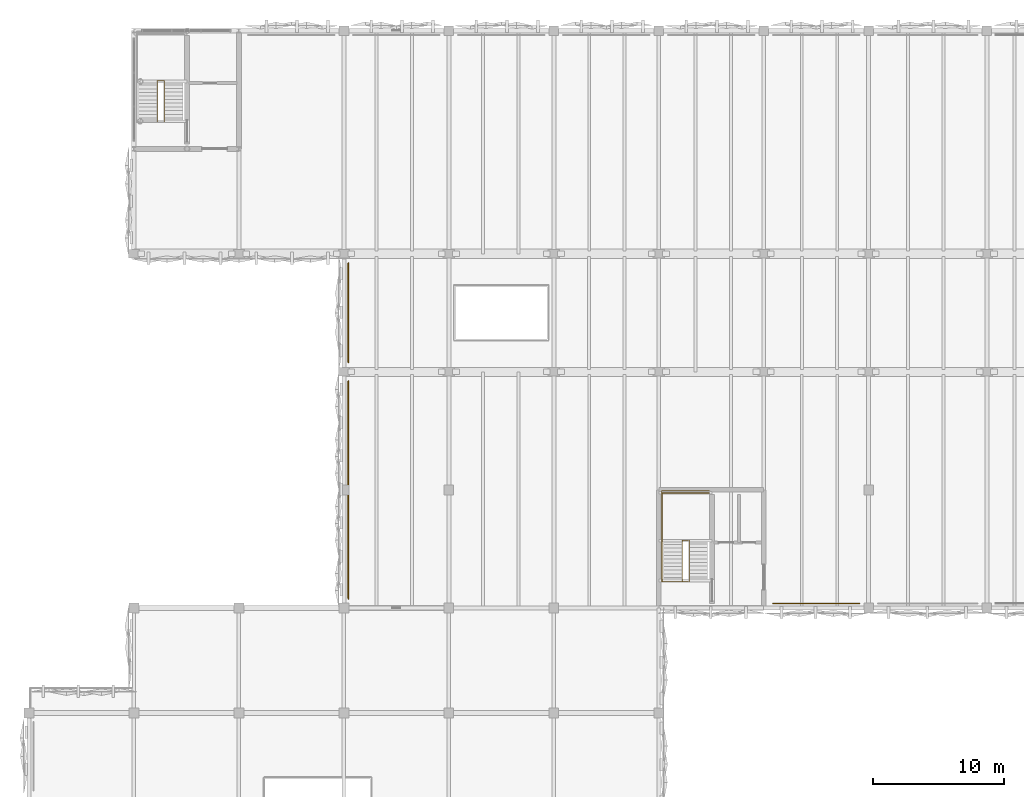
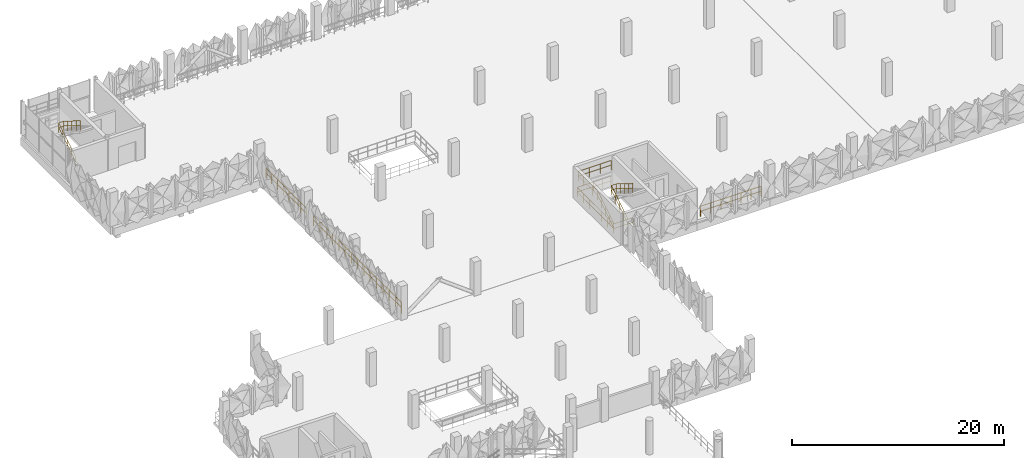
# One storey, part 74 of 83: 7 railings.
"""IFC4 building model written with IfcOpenShell, lengths in metres."""

from ifc_helpers import new_model, si_unit, derived_unit, direction, frame, origin, origin_2d, place, context, subcontext, project, spatial, circle, extrude, material, type_object, element, save


model = new_model("IFC4")

# Units and contexts
model_context = context("Model", 3, precision=1e-05, world=origin(), true_north=direction((0.0, 1.0)))
body_context = subcontext(model_context, "Body", "Model", "MODEL_VIEW")
ifc_project = project(units=[si_unit("LENGTHUNIT", "METRE"), si_unit("AREAUNIT", "SQUARE_METRE"), si_unit("VOLUMEUNIT", "CUBIC_METRE"), si_unit("PLANEANGLEUNIT", "RADIAN"), si_unit("MASSUNIT", "GRAM", prefix="KILO"), si_unit("THERMODYNAMICTEMPERATUREUNIT", "KELVIN"), derived_unit("THERMALTRANSMITTANCEUNIT", [(si_unit("POWERUNIT", "WATT"), 1), (si_unit("AREAUNIT", "SQUARE_METRE"), -1), (si_unit("THERMODYNAMICTEMPERATUREUNIT", "KELVIN"), -1)])], contexts=[model_context])

# Site, building, storey
site_placement = place(None, origin())
site = spatial("IfcSite", under=ifc_project, at=site_placement, CompositionType="ELEMENT")
building_placement = place(site_placement, origin())
building = spatial("IfcBuilding", under=site, at=building_placement, Name="Haiyu Intermodal Mobility Hub", CompositionType="ELEMENT")
storey_placement = place(building_placement, frame((0.0, 0.0, 13.39990234375)))
storey = spatial("IfcBuildingStorey", under=building, at=storey_placement, Name="L03", CompositionType="ELEMENT", Elevation=13.39990234375)

# Railings
ifc_material = material(Name="Steel Q355C", Category="steel")
railing_type_1 = type_object("IfcRailingType", Name="RAL-GR01", PredefinedType="GUARDRAIL", material=ifc_material)
railing_1_placement = place(storey_placement, frame((38.340087890625, 121.300048828125, 0.0)))
element("IfcRailing", 1, at=railing_1_placement, inside=storey, type_object=railing_type_1, Name="RAL-CAR-WS-0084", PredefinedType="GUARDRAIL", context=body_context, shape_type="SweptSolid", body=[
    extrude(circle(Radius=0.02392578125, at=origin_2d()), frame((0.0, -0.030029296875, 1.17578125), z_axis=(0.0, -1.0, 0.0), x_axis=(1.0, 0.0, 0.0)), (0.0, 0.0, 1.0), 16.5400390625),
    extrude(circle(Radius=0.02392578125, at=origin_2d()), frame((0.0, -0.037353515625, 0.60009765625), z_axis=(0.0, -1.0, 0.0), x_axis=(1.0, 0.0, 0.0)), (0.0, 0.0, 1.0), 1.111083984375),
    extrude(circle(Radius=0.02392578125, at=origin_2d()), frame((0.0, -1.222900390625, 0.60009765625), z_axis=(0.0, -1.0, 0.0), x_axis=(1.0, 0.0, 0.0)), (0.0, 0.0, 1.0), 1.111083984375),
    extrude(circle(Radius=0.02392578125, at=origin_2d()), frame((0.0, -2.40869140625, 0.60009765625), z_axis=(0.0, -1.0, 0.0), x_axis=(1.0, 0.0, 0.0)), (0.0, 0.0, 1.0), 1.111083984375),
    extrude(circle(Radius=0.02392578125, at=origin_2d()), frame((0.0, -3.594482421875, 0.60009765625), z_axis=(0.0, -1.0, 0.0), x_axis=(1.0, 0.0, 0.0)), (0.0, 0.0, 1.0), 1.111083984375),
    extrude(circle(Radius=0.02392578125, at=origin_2d()), frame((0.0, -4.7802734375, 0.60009765625), z_axis=(0.0, -1.0, 0.0), x_axis=(1.0, 0.0, 0.0)), (0.0, 0.0, 1.0), 1.111083984375),
    extrude(circle(Radius=0.02392578125, at=origin_2d()), frame((0.0, -5.9658203125, 0.60009765625), z_axis=(0.0, -1.0, 0.0), x_axis=(1.0, 0.0, 0.0)), (0.0, 0.0, 1.0), 1.111083984375),
    extrude(circle(Radius=0.02392578125, at=origin_2d()), frame((0.0, -7.151611328125, 0.60009765625), z_axis=(0.0, -1.0, 0.0), x_axis=(1.0, 0.0, 0.0)), (0.0, 0.0, 1.0), 1.111083984375),
    extrude(circle(Radius=0.02392578125, at=origin_2d()), frame((0.0, -8.33740234375, 0.60009765625), z_axis=(0.0, -1.0, 0.0), x_axis=(1.0, 0.0, 0.0)), (0.0, 0.0, 1.0), 1.111083984375),
    extrude(circle(Radius=0.02392578125, at=origin_2d()), frame((0.0, -9.52294921875, 0.60009765625), z_axis=(0.0, -1.0, 0.0), x_axis=(1.0, 0.0, 0.0)), (0.0, 0.0, 1.0), 1.111083984375),
    extrude(circle(Radius=0.02392578125, at=origin_2d()), frame((0.0, -10.708740234375, 0.60009765625), z_axis=(0.0, -1.0, 0.0), x_axis=(1.0, 0.0, 0.0)), (0.0, 0.0, 1.0), 1.111083984375),
    extrude(circle(Radius=0.02392578125, at=origin_2d()), frame((0.0, -11.89453125, 0.60009765625), z_axis=(0.0, -1.0, 0.0), x_axis=(1.0, 0.0, 0.0)), (0.0, 0.0, 1.0), 1.111083984375),
    extrude(circle(Radius=0.02392578125, at=origin_2d()), frame((0.0, -13.080322265625, 0.60009765625), z_axis=(0.0, -1.0, 0.0), x_axis=(1.0, 0.0, 0.0)), (0.0, 0.0, 1.0), 1.111083984375),
    extrude(circle(Radius=0.02392578125, at=origin_2d()), frame((0.0, -14.265869140625, 0.60009765625), z_axis=(0.0, -1.0, 0.0), x_axis=(1.0, 0.0, 0.0)), (0.0, 0.0, 1.0), 1.111083984375),
    extrude(circle(Radius=0.02392578125, at=origin_2d()), frame((0.0, -15.45166015625, 0.60009765625), z_axis=(0.0, -1.0, 0.0), x_axis=(1.0, 0.0, 0.0)), (0.0, 0.0, 1.0), 1.111083984375),
    extrude(circle(Radius=0.02099609375, at=origin_2d()), origin(), (0.0, 0.0, 1.0), 1.143798828125),
    extrude(circle(Radius=0.02099609375, at=origin_2d()), frame((0.0, -1.185791015625, 0.0)), (0.0, 0.0, 1.0), 1.143798828125),
    extrude(circle(Radius=0.02099609375, at=origin_2d()), frame((0.0, -2.371337890625, 0.0)), (0.0, 0.0, 1.0), 1.143798828125),
    extrude(circle(Radius=0.02099609375, at=origin_2d()), frame((0.0, -3.55712890625, 0.0)), (0.0, 0.0, 1.0), 1.143798828125),
    extrude(circle(Radius=0.02099609375, at=origin_2d()), frame((0.0, -4.742919921875, 0.0)), (0.0, 0.0, 1.0), 1.143798828125),
    extrude(circle(Radius=0.02099609375, at=origin_2d()), frame((0.0, -5.9287109375, 0.0)), (0.0, 0.0, 1.0), 1.143798828125),
    extrude(circle(Radius=0.02099609375, at=origin_2d()), frame((0.0, -7.1142578125, 0.0)), (0.0, 0.0, 1.0), 1.143798828125),
    extrude(circle(Radius=0.02099609375, at=origin_2d()), frame((0.0, -8.300048828125, 0.0)), (0.0, 0.0, 1.0), 1.143798828125),
    extrude(circle(Radius=0.02099609375, at=origin_2d()), frame((0.0, -9.48583984375, 0.0)), (0.0, 0.0, 1.0), 1.143798828125),
    extrude(circle(Radius=0.02099609375, at=origin_2d()), frame((0.0, -10.67138671875, 0.0)), (0.0, 0.0, 1.0), 1.143798828125),
    extrude(circle(Radius=0.02099609375, at=origin_2d()), frame((0.0, -11.857177734375, 0.0)), (0.0, 0.0, 1.0), 1.143798828125),
    extrude(circle(Radius=0.02099609375, at=origin_2d()), frame((0.0, -13.04296875, 0.0)), (0.0, 0.0, 1.0), 1.143798828125),
    extrude(circle(Radius=0.02099609375, at=origin_2d()), frame((0.0, -14.228759765625, 0.0)), (0.0, 0.0, 1.0), 1.143798828125),
    extrude(circle(Radius=0.02099609375, at=origin_2d()), frame((0.0, -15.414306640625, 0.0)), (0.0, 0.0, 1.0), 1.143798828125),
    extrude(circle(Radius=0.02099609375, at=origin_2d()), frame((0.0, -16.60009765625, 0.0)), (0.0, 0.0, 1.0), 1.143798828125),
])
railing_2_placement = place(storey_placement, frame((38.340087890625, 130.300048828125, 0.0)))
element("IfcRailing", 2, at=railing_2_placement, inside=storey, type_object=railing_type_1, Name="RAL-CAR-WS-0089", PredefinedType="GUARDRAIL", context=body_context, shape_type="SweptSolid", body=[
    extrude(circle(Radius=0.02392578125, at=origin_2d()), frame((0.0, -0.030029296875, 1.17578125), z_axis=(0.0, -1.0, 0.0), x_axis=(1.0, 0.0, 0.0)), (0.0, 0.0, 1.0), 7.5400390625),
    extrude(circle(Radius=0.02392578125, at=origin_2d()), frame((0.0, -0.037353515625, 0.60009765625), z_axis=(0.0, -1.0, 0.0), x_axis=(1.0, 0.0, 0.0)), (0.0, 0.0, 1.0), 1.01123046875),
    extrude(circle(Radius=0.02392578125, at=origin_2d()), frame((0.0, -1.123046875, 0.60009765625), z_axis=(0.0, -1.0, 0.0), x_axis=(1.0, 0.0, 0.0)), (0.0, 0.0, 1.0), 1.01123046875),
    extrude(circle(Radius=0.02392578125, at=origin_2d()), frame((0.0, -2.208740234375, 0.60009765625), z_axis=(0.0, -1.0, 0.0), x_axis=(1.0, 0.0, 0.0)), (0.0, 0.0, 1.0), 1.01123046875),
    extrude(circle(Radius=0.02392578125, at=origin_2d()), frame((0.0, -3.29443359375, 0.60009765625), z_axis=(0.0, -1.0, 0.0), x_axis=(1.0, 0.0, 0.0)), (0.0, 0.0, 1.0), 1.01123046875),
    extrude(circle(Radius=0.02392578125, at=origin_2d()), frame((0.0, -4.380126953125, 0.60009765625), z_axis=(0.0, -1.0, 0.0), x_axis=(1.0, 0.0, 0.0)), (0.0, 0.0, 1.0), 1.01123046875),
    extrude(circle(Radius=0.02392578125, at=origin_2d()), frame((0.0, -5.4658203125, 0.60009765625), z_axis=(0.0, -1.0, 0.0), x_axis=(1.0, 0.0, 0.0)), (0.0, 0.0, 1.0), 1.01123046875),
    extrude(circle(Radius=0.02392578125, at=origin_2d()), frame((0.0, -6.5517578125, 0.60009765625), z_axis=(0.0, -1.0, 0.0), x_axis=(1.0, 0.0, 0.0)), (0.0, 0.0, 1.0), 1.01123046875),
    extrude(circle(Radius=0.02099609375, at=origin_2d()), origin(), (0.0, 0.0, 1.0), 1.143798828125),
    extrude(circle(Radius=0.02099609375, at=origin_2d()), frame((0.0, -1.085693359375, 0.0)), (0.0, 0.0, 1.0), 1.143798828125),
    extrude(circle(Radius=0.02099609375, at=origin_2d()), frame((0.0, -2.17138671875, 0.0)), (0.0, 0.0, 1.0), 1.143798828125),
    extrude(circle(Radius=0.02099609375, at=origin_2d()), frame((0.0, -3.257080078125, 0.0)), (0.0, 0.0, 1.0), 1.143798828125),
    extrude(circle(Radius=0.02099609375, at=origin_2d()), frame((0.0, -4.343017578125, 0.0)), (0.0, 0.0, 1.0), 1.143798828125),
    extrude(circle(Radius=0.02099609375, at=origin_2d()), frame((0.0, -5.4287109375, 0.0)), (0.0, 0.0, 1.0), 1.143798828125),
    extrude(circle(Radius=0.02099609375, at=origin_2d()), frame((0.0, -6.514404296875, 0.0)), (0.0, 0.0, 1.0), 1.143798828125),
    extrude(circle(Radius=0.02099609375, at=origin_2d()), frame((0.0, -7.60009765625, 0.0)), (0.0, 0.0, 1.0), 1.143798828125),
])
railing_3_placement = place(storey_placement, frame((70.699951171875, 104.340087890625, 0.0)))
element("IfcRailing", 3, at=railing_3_placement, inside=storey, type_object=railing_type_1, Name="RAL-CAR-S-0111", PredefinedType="GUARDRAIL", context=body_context, shape_type="SweptSolid", body=[
    extrude(circle(Radius=0.02392578125, at=origin_2d()), frame((0.030029296875, 0.0, 1.17578125), z_axis=(1.0, 0.0, 0.0), x_axis=(0.0, 1.0, 0.0)), (0.0, 0.0, 1.0), 6.5400390625),
    extrude(circle(Radius=0.02392578125, at=origin_2d()), frame((0.037353515625, 0.0, 0.60009765625), z_axis=(1.0, 0.0, 0.0), x_axis=(0.0, 1.0, 0.0)), (0.0, 0.0, 1.0), 1.025390625),
    extrude(circle(Radius=0.02392578125, at=origin_2d()), frame((1.13720703125, 0.0, 0.60009765625), z_axis=(1.0, 0.0, 0.0), x_axis=(0.0, 1.0, 0.0)), (0.0, 0.0, 1.0), 1.025390625),
    extrude(circle(Radius=0.02392578125, at=origin_2d()), frame((2.2373046875, 0.0, 0.60009765625), z_axis=(1.0, 0.0, 0.0), x_axis=(0.0, 1.0, 0.0)), (0.0, 0.0, 1.0), 1.025390625),
    extrude(circle(Radius=0.02392578125, at=origin_2d()), frame((3.33740234375, 0.0, 0.60009765625), z_axis=(1.0, 0.0, 0.0), x_axis=(0.0, 1.0, 0.0)), (0.0, 0.0, 1.0), 1.025390625),
    extrude(circle(Radius=0.02392578125, at=origin_2d()), frame((4.437255859375, 0.0, 0.60009765625), z_axis=(1.0, 0.0, 0.0), x_axis=(0.0, 1.0, 0.0)), (0.0, 0.0, 1.0), 1.025390625),
    extrude(circle(Radius=0.02392578125, at=origin_2d()), frame((5.537353515625, 0.0, 0.60009765625), z_axis=(1.0, 0.0, 0.0), x_axis=(0.0, 1.0, 0.0)), (0.0, 0.0, 1.0), 1.025390625),
    extrude(circle(Radius=0.02099609375, at=origin_2d()), origin(), (0.0, 0.0, 1.0), 1.143798828125),
    extrude(circle(Radius=0.02099609375, at=origin_2d()), frame((1.10009765625, 0.0, 0.0)), (0.0, 0.0, 1.0), 1.143798828125),
    extrude(circle(Radius=0.02099609375, at=origin_2d()), frame((2.199951171875, 0.0, 0.0)), (0.0, 0.0, 1.0), 1.143798828125),
    extrude(circle(Radius=0.02099609375, at=origin_2d()), frame((3.300048828125, 0.0, 0.0)), (0.0, 0.0, 1.0), 1.143798828125),
    extrude(circle(Radius=0.02099609375, at=origin_2d()), frame((4.400146484375, 0.0, 0.0)), (0.0, 0.0, 1.0), 1.143798828125),
    extrude(circle(Radius=0.02099609375, at=origin_2d()), frame((5.5, 0.0, 0.0)), (0.0, 0.0, 1.0), 1.143798828125),
    extrude(circle(Radius=0.02099609375, at=origin_2d()), frame((6.60009765625, 0.0, 0.0)), (0.0, 0.0, 1.0), 1.143798828125),
])
railing_type_2 = type_object("IfcRailingType", Name="RAL-GR03", PredefinedType="GUARDRAIL", material=ifc_material)
railing_4_placement = place(storey_placement, frame((23.780029296875, 141.050048828125, 0.0)))
element("IfcRailing", 4, at=railing_4_placement, inside=storey, type_object=railing_type_2, Name="Stair Well Guard STR-C3-L03", PredefinedType="GUARDRAIL", context=body_context, shape_type="SweptSolid", body=[
    extrude(circle(Radius=0.02392578125, at=origin_2d()), frame((0.0, 0.025390625, 1.11181640625), z_axis=(0.0, 0.84872648218, 0.528832070176), x_axis=(-1.0, 0.0, 0.0)), (0.0, 0.0, 1.0), 3.627685546875),
    extrude(circle(Radius=0.02392578125, at=origin_2d()), frame((0.0, 0.03173828125, 0.579833984375), z_axis=(0.0, 0.84872648218, 0.528832070176), x_axis=(-1.0, 0.0, 0.0)), (0.0, 0.0, 1.0), 0.847412109375),
    extrude(circle(Radius=0.02392578125, at=origin_2d()), frame((0.0, 0.814208984375, 1.0673828125), z_axis=(0.0, 0.84872648218, 0.528832070176), x_axis=(-1.0, 0.0, 0.0)), (0.0, 0.0, 1.0), 0.847412109375),
    extrude(circle(Radius=0.02392578125, at=origin_2d()), frame((0.0, 1.5966796875, 1.554931640625), z_axis=(0.0, 0.84872648218, 0.528832070176), x_axis=(-1.0, 0.0, 0.0)), (0.0, 0.0, 1.0), 0.847412109375),
    extrude(circle(Radius=0.02392578125, at=origin_2d()), frame((0.0, 2.379150390625, 2.04248046875), z_axis=(0.0, 0.84872648218, 0.528832070176), x_axis=(-1.0, 0.0, 0.0)), (0.0, 0.0, 1.0), 0.847412109375),
    extrude(circle(Radius=0.02392578125, at=origin_2d()), frame((0.030029296875, 3.1298828125, 3.04638671875), z_axis=(1.0, 0.0, 0.0), x_axis=(0.0, 1.0, 0.0)), (0.0, 0.0, 1.0), 0.469970703125),
    extrude(circle(Radius=0.02392578125, at=origin_2d()), frame((0.037353515625, 3.1298828125, 2.51025390625), z_axis=(1.0, 0.0, 0.0), x_axis=(0.0, 1.0, 0.0)), (0.0, 0.0, 1.0), 0.455322265625),
    extrude(circle(Radius=0.02392578125, at=origin_2d()), frame((0.530029296875, 3.1044921875, 3.06201171875), z_axis=(0.0, -0.848756196164, 0.528784378999), x_axis=(1.0, 0.0, 0.0)), (0.0, 0.0, 1.0), 3.627685546875),
    extrude(circle(Radius=0.02392578125, at=origin_2d()), frame((0.530029296875, 3.09814453125, 2.530029296875), z_axis=(0.0, -0.848756196164, 0.528784378999), x_axis=(1.0, 0.0, 0.0)), (0.0, 0.0, 1.0), 0.847412109375),
    extrude(circle(Radius=0.02392578125, at=origin_2d()), frame((0.530029296875, 2.315673828125, 3.017578125), z_axis=(0.0, -0.848756196164, 0.528784378999), x_axis=(1.0, 0.0, 0.0)), (0.0, 0.0, 1.0), 0.847412109375),
    extrude(circle(Radius=0.02392578125, at=origin_2d()), frame((0.530029296875, 1.533203125, 3.5048828125), z_axis=(0.0, -0.848756196164, 0.528784378999), x_axis=(1.0, 0.0, 0.0)), (0.0, 0.0, 1.0), 0.847412109375),
    extrude(circle(Radius=0.02392578125, at=origin_2d()), frame((0.530029296875, 0.750732421875, 3.992431640625), z_axis=(0.0, -0.848756196164, 0.528784378999), x_axis=(1.0, 0.0, 0.0)), (0.0, 0.0, 1.0), 0.847412109375),
    extrude(circle(Radius=0.02099609375, at=origin_2d()), origin(), (0.0, 0.0, 1.0), 1.06396484375),
    extrude(circle(Radius=0.02099609375, at=origin_2d()), frame((0.0, 0.782470703125, 0.487548828125)), (0.0, 0.0, 1.0), 1.06396484375),
    extrude(circle(Radius=0.02099609375, at=origin_2d()), frame((0.0, 1.56494140625, 0.97509765625)), (0.0, 0.0, 1.0), 1.06396484375),
    extrude(circle(Radius=0.02099609375, at=origin_2d()), frame((0.0, 2.347412109375, 1.462646484375)), (0.0, 0.0, 1.0), 1.06396484375),
    extrude(circle(Radius=0.02099609375, at=origin_2d()), frame((0.0, 3.1298828125, 1.9501953125)), (0.0, 0.0, 1.0), 1.06396484375),
    extrude(circle(Radius=0.02099609375, at=origin_2d()), frame((0.530029296875, 3.1298828125, 1.9501953125)), (0.0, 0.0, 1.0), 1.06396484375),
    extrude(circle(Radius=0.02099609375, at=origin_2d()), frame((0.530029296875, 2.347412109375, 2.437744140625)), (0.0, 0.0, 1.0), 1.06396484375),
    extrude(circle(Radius=0.02099609375, at=origin_2d()), frame((0.530029296875, 1.56494140625, 2.92529296875)), (0.0, 0.0, 1.0), 1.06396484375),
    extrude(circle(Radius=0.02099609375, at=origin_2d()), frame((0.530029296875, 0.782470703125, 3.41259765625)), (0.0, 0.0, 1.0), 1.06396484375),
    extrude(circle(Radius=0.02099609375, at=origin_2d()), frame((0.530029296875, 0.0, 3.900146484375)), (0.0, 0.0, 1.0), 1.06396484375),
])
railing_5_placement = place(storey_placement, frame((64.31005859375, 106.010009765625, 0.0)))
element("IfcRailing", 5, at=railing_5_placement, inside=storey, type_object=railing_type_2, Name="Stair Shaft Floor Guard STR-C5-L02", PredefinedType="GUARDRAIL", context=body_context, shape_type="SweptSolid", body=[
    extrude(circle(Radius=0.02392578125, at=origin_2d()), frame((-0.030029296875, 0.0, 1.09619140625), z_axis=(-1.0, 0.0, 0.0), x_axis=(0.0, -1.0, 0.0)), (0.0, 0.0, 1.0), 2.030029296875),
    extrude(circle(Radius=0.02392578125, at=origin_2d()), frame((-0.037353515625, 0.0, 0.56005859375), z_axis=(-1.0, 0.0, 0.0), x_axis=(0.0, -1.0, 0.0)), (0.0, 0.0, 1.0), 0.970458984375),
    extrude(circle(Radius=0.02392578125, at=origin_2d()), frame((-1.082275390625, 0.0, 0.56005859375), z_axis=(-1.0, 0.0, 0.0), x_axis=(0.0, -1.0, 0.0)), (0.0, 0.0, 1.0), 0.970458984375),
    extrude(circle(Radius=0.02392578125, at=origin_2d()), frame((-2.090087890625, 0.030029296875, 1.09619140625), z_axis=(0.0, 1.0, 0.0), x_axis=(-1.0, 0.0, 0.0)), (0.0, 0.0, 1.0), 6.8798828125),
    extrude(circle(Radius=0.02392578125, at=origin_2d()), frame((-2.090087890625, 0.037353515625, 0.56005859375), z_axis=(0.0, 1.0, 0.0), x_axis=(-1.0, 0.0, 0.0)), (0.0, 0.0, 1.0), 1.08203125),
    extrude(circle(Radius=0.02392578125, at=origin_2d()), frame((-2.090087890625, 1.19384765625, 0.56005859375), z_axis=(0.0, 1.0, 0.0), x_axis=(-1.0, 0.0, 0.0)), (0.0, 0.0, 1.0), 1.08203125),
    extrude(circle(Radius=0.02392578125, at=origin_2d()), frame((-2.090087890625, 2.3505859375, 0.56005859375), z_axis=(0.0, 1.0, 0.0), x_axis=(-1.0, 0.0, 0.0)), (0.0, 0.0, 1.0), 1.08203125),
    extrude(circle(Radius=0.02392578125, at=origin_2d()), frame((-2.090087890625, 3.50732421875, 0.56005859375), z_axis=(0.0, 1.0, 0.0), x_axis=(-1.0, 0.0, 0.0)), (0.0, 0.0, 1.0), 1.08203125),
    extrude(circle(Radius=0.02392578125, at=origin_2d()), frame((-2.090087890625, 4.663818359375, 0.56005859375), z_axis=(0.0, 1.0, 0.0), x_axis=(-1.0, 0.0, 0.0)), (0.0, 0.0, 1.0), 1.08203125),
    extrude(circle(Radius=0.02392578125, at=origin_2d()), frame((-2.090087890625, 5.820556640625, 0.56005859375), z_axis=(0.0, 1.0, 0.0), x_axis=(-1.0, 0.0, 0.0)), (0.0, 0.0, 1.0), 1.08203125),
    extrude(circle(Radius=0.02392578125, at=origin_2d()), frame((-2.06005859375, 6.93994140625, 1.09619140625), z_axis=(1.0, 0.0, 0.0), x_axis=(0.0, 1.0, 0.0)), (0.0, 0.0, 1.0), 3.590087890625),
    extrude(circle(Radius=0.02392578125, at=origin_2d()), frame((-2.052734375, 6.93994140625, 0.56005859375), z_axis=(1.0, 0.0, 0.0), x_axis=(0.0, 1.0, 0.0)), (0.0, 0.0, 1.0), 0.837890625),
    extrude(circle(Radius=0.02392578125, at=origin_2d()), frame((-1.14013671875, 6.93994140625, 0.56005859375), z_axis=(1.0, 0.0, 0.0), x_axis=(0.0, 1.0, 0.0)), (0.0, 0.0, 1.0), 0.837890625),
    extrude(circle(Radius=0.02392578125, at=origin_2d()), frame((-0.227783203125, 6.93994140625, 0.56005859375), z_axis=(1.0, 0.0, 0.0), x_axis=(0.0, 1.0, 0.0)), (0.0, 0.0, 1.0), 0.837890625),
    extrude(circle(Radius=0.02392578125, at=origin_2d()), frame((0.684814453125, 6.93994140625, 0.56005859375), z_axis=(1.0, 0.0, 0.0), x_axis=(0.0, 1.0, 0.0)), (0.0, 0.0, 1.0), 0.837890625),
    extrude(circle(Radius=0.02099609375, at=origin_2d()), origin(), (0.0, 0.0, 1.0), 1.06396484375),
    extrude(circle(Radius=0.02099609375, at=origin_2d()), frame((-1.044921875, 0.0, 0.0)), (0.0, 0.0, 1.0), 1.06396484375),
    extrude(circle(Radius=0.02099609375, at=origin_2d()), frame((-2.090087890625, 0.0, 0.0)), (0.0, 0.0, 1.0), 1.06396484375),
    extrude(circle(Radius=0.02099609375, at=origin_2d()), frame((-2.090087890625, 1.15673828125, 0.0)), (0.0, 0.0, 1.0), 1.06396484375),
    extrude(circle(Radius=0.02099609375, at=origin_2d()), frame((-2.090087890625, 2.313232421875, 0.0)), (0.0, 0.0, 1.0), 1.06396484375),
    extrude(circle(Radius=0.02099609375, at=origin_2d()), frame((-2.090087890625, 3.469970703125, 0.0)), (0.0, 0.0, 1.0), 1.06396484375),
    extrude(circle(Radius=0.02099609375, at=origin_2d()), frame((-2.090087890625, 4.626708984375, 0.0)), (0.0, 0.0, 1.0), 1.06396484375),
    extrude(circle(Radius=0.02099609375, at=origin_2d()), frame((-2.090087890625, 5.783203125, 0.0)), (0.0, 0.0, 1.0), 1.06396484375),
    extrude(circle(Radius=0.02099609375, at=origin_2d()), frame((-2.090087890625, 6.93994140625, 0.0)), (0.0, 0.0, 1.0), 1.06396484375),
    extrude(circle(Radius=0.02099609375, at=origin_2d()), frame((-1.177490234375, 6.93994140625, 0.0)), (0.0, 0.0, 1.0), 1.06396484375),
    extrude(circle(Radius=0.02099609375, at=origin_2d()), frame((-0.26513671875, 6.93994140625, 0.0)), (0.0, 0.0, 1.0), 1.06396484375),
    extrude(circle(Radius=0.02099609375, at=origin_2d()), frame((0.6474609375, 6.93994140625, 0.0)), (0.0, 0.0, 1.0), 1.06396484375),
    extrude(circle(Radius=0.02099609375, at=origin_2d()), frame((1.56005859375, 6.93994140625, 0.0)), (0.0, 0.0, 1.0), 1.06396484375),
])
railing_6_placement = place(storey_placement, frame((63.780029296875, 106.050048828125, 0.0)))
element("IfcRailing", 6, at=railing_6_placement, inside=storey, type_object=railing_type_2, Name="Stair Well Guard STR-C5-L03", PredefinedType="GUARDRAIL", context=body_context, shape_type="SweptSolid", body=[
    extrude(circle(Radius=0.02392578125, at=origin_2d()), frame((0.0, 0.025390625, 1.11181640625), z_axis=(0.0, 0.84872648218, 0.528832070176), x_axis=(-1.0, 0.0, 0.0)), (0.0, 0.0, 1.0), 3.627685546875),
    extrude(circle(Radius=0.02392578125, at=origin_2d()), frame((0.0, 0.03173828125, 0.579833984375), z_axis=(0.0, 0.84872648218, 0.528832070176), x_axis=(-1.0, 0.0, 0.0)), (0.0, 0.0, 1.0), 0.847412109375),
    extrude(circle(Radius=0.02392578125, at=origin_2d()), frame((0.0, 0.814208984375, 1.0673828125), z_axis=(0.0, 0.84872648218, 0.528832070176), x_axis=(-1.0, 0.0, 0.0)), (0.0, 0.0, 1.0), 0.847412109375),
    extrude(circle(Radius=0.02392578125, at=origin_2d()), frame((0.0, 1.5966796875, 1.554931640625), z_axis=(0.0, 0.84872648218, 0.528832070176), x_axis=(-1.0, 0.0, 0.0)), (0.0, 0.0, 1.0), 0.847412109375),
    extrude(circle(Radius=0.02392578125, at=origin_2d()), frame((0.0, 2.379150390625, 2.04248046875), z_axis=(0.0, 0.84872648218, 0.528832070176), x_axis=(-1.0, 0.0, 0.0)), (0.0, 0.0, 1.0), 0.847412109375),
    extrude(circle(Radius=0.02392578125, at=origin_2d()), frame((0.030029296875, 3.1298828125, 3.04638671875), z_axis=(1.0, 0.0, 0.0), x_axis=(0.0, 1.0, 0.0)), (0.0, 0.0, 1.0), 0.469970703125),
    extrude(circle(Radius=0.02392578125, at=origin_2d()), frame((0.037353515625, 3.1298828125, 2.51025390625), z_axis=(1.0, 0.0, 0.0), x_axis=(0.0, 1.0, 0.0)), (0.0, 0.0, 1.0), 0.455322265625),
    extrude(circle(Radius=0.02392578125, at=origin_2d()), frame((0.530029296875, 3.1044921875, 3.06201171875), z_axis=(0.0, -0.848756196164, 0.528784378999), x_axis=(1.0, 0.0, 0.0)), (0.0, 0.0, 1.0), 3.627685546875),
    extrude(circle(Radius=0.02392578125, at=origin_2d()), frame((0.530029296875, 3.09814453125, 2.530029296875), z_axis=(0.0, -0.848756196164, 0.528784378999), x_axis=(1.0, 0.0, 0.0)), (0.0, 0.0, 1.0), 0.847412109375),
    extrude(circle(Radius=0.02392578125, at=origin_2d()), frame((0.530029296875, 2.315673828125, 3.017578125), z_axis=(0.0, -0.848756196164, 0.528784378999), x_axis=(1.0, 0.0, 0.0)), (0.0, 0.0, 1.0), 0.847412109375),
    extrude(circle(Radius=0.02392578125, at=origin_2d()), frame((0.530029296875, 1.533203125, 3.5048828125), z_axis=(0.0, -0.848756196164, 0.528784378999), x_axis=(1.0, 0.0, 0.0)), (0.0, 0.0, 1.0), 0.847412109375),
    extrude(circle(Radius=0.02392578125, at=origin_2d()), frame((0.530029296875, 0.750732421875, 3.992431640625), z_axis=(0.0, -0.848756196164, 0.528784378999), x_axis=(1.0, 0.0, 0.0)), (0.0, 0.0, 1.0), 0.847412109375),
    extrude(circle(Radius=0.02099609375, at=origin_2d()), origin(), (0.0, 0.0, 1.0), 1.06396484375),
    extrude(circle(Radius=0.02099609375, at=origin_2d()), frame((0.0, 0.782470703125, 0.487548828125)), (0.0, 0.0, 1.0), 1.06396484375),
    extrude(circle(Radius=0.02099609375, at=origin_2d()), frame((0.0, 1.56494140625, 0.97509765625)), (0.0, 0.0, 1.0), 1.06396484375),
    extrude(circle(Radius=0.02099609375, at=origin_2d()), frame((0.0, 2.347412109375, 1.462646484375)), (0.0, 0.0, 1.0), 1.06396484375),
    extrude(circle(Radius=0.02099609375, at=origin_2d()), frame((0.0, 3.1298828125, 1.9501953125)), (0.0, 0.0, 1.0), 1.06396484375),
    extrude(circle(Radius=0.02099609375, at=origin_2d()), frame((0.530029296875, 3.1298828125, 1.9501953125)), (0.0, 0.0, 1.0), 1.06396484375),
    extrude(circle(Radius=0.02099609375, at=origin_2d()), frame((0.530029296875, 2.347412109375, 2.437744140625)), (0.0, 0.0, 1.0), 1.06396484375),
    extrude(circle(Radius=0.02099609375, at=origin_2d()), frame((0.530029296875, 1.56494140625, 2.92529296875)), (0.0, 0.0, 1.0), 1.06396484375),
    extrude(circle(Radius=0.02099609375, at=origin_2d()), frame((0.530029296875, 0.782470703125, 3.41259765625)), (0.0, 0.0, 1.0), 1.06396484375),
    extrude(circle(Radius=0.02099609375, at=origin_2d()), frame((0.530029296875, 0.0, 3.900146484375)), (0.0, 0.0, 1.0), 1.06396484375),
])
railing_7_placement = place(storey_placement, frame((62.25, 106.050048828125, 0.0)))
element("IfcRailing", 7, at=railing_7_placement, inside=storey, type_object=railing_type_2, Name="Stair Outer Guard STR-C5-L03", PredefinedType="GUARDRAIL", context=body_context, shape_type="SweptSolid", body=[
    extrude(circle(Radius=0.02392578125, at=origin_2d()), frame((0.0, 0.025390625, 1.112060546875), z_axis=(0.0, 0.844864482441, 0.534980379369), x_axis=(-1.0, 0.0, 0.0)), (0.0, 0.0, 1.0), 3.58544921875),
    extrude(circle(Radius=0.02392578125, at=origin_2d()), frame((0.0, 0.031494140625, 0.580078125), z_axis=(0.0, 0.844864482441, 0.534980379369), x_axis=(-1.0, 0.0, 0.0)), (0.0, 0.0, 1.0), 0.836669921875),
    extrude(circle(Radius=0.02392578125, at=origin_2d()), frame((0.0, 0.801513671875, 1.067626953125), z_axis=(0.0, 0.844864482441, 0.534980379369), x_axis=(-1.0, 0.0, 0.0)), (0.0, 0.0, 1.0), 0.836669921875),
    extrude(circle(Radius=0.02392578125, at=origin_2d()), frame((0.0, 1.571533203125, 1.55517578125), z_axis=(0.0, 0.844864482441, 0.534980379369), x_axis=(-1.0, 0.0, 0.0)), (0.0, 0.0, 1.0), 0.836669921875),
    extrude(circle(Radius=0.02392578125, at=origin_2d()), frame((0.0, 2.34130859375, 2.042724609375), z_axis=(0.0, 0.844864482441, 0.534980379369), x_axis=(-1.0, 0.0, 0.0)), (0.0, 0.0, 1.0), 0.836669921875),
    extrude(circle(Radius=0.02392578125, at=origin_2d()), frame((0.0, 3.10986328125, 3.04638671875), z_axis=(0.0, 1.0, 0.0), x_axis=(-1.0, 0.0, 0.0)), (0.0, 0.0, 1.0), 3.570068359375),
    extrude(circle(Radius=0.02392578125, at=origin_2d()), frame((0.0, 3.1171875, 2.51025390625), z_axis=(0.0, 1.0, 0.0), x_axis=(-1.0, 0.0, 0.0)), (0.0, 0.0, 1.0), 0.8330078125),
    extrude(circle(Radius=0.02392578125, at=origin_2d()), frame((0.0, 4.024658203125, 2.51025390625), z_axis=(0.0, 1.0, 0.0), x_axis=(-1.0, 0.0, 0.0)), (0.0, 0.0, 1.0), 0.8330078125),
    extrude(circle(Radius=0.02392578125, at=origin_2d()), frame((0.0, 4.93212890625, 2.51025390625), z_axis=(0.0, 1.0, 0.0), x_axis=(-1.0, 0.0, 0.0)), (0.0, 0.0, 1.0), 0.8330078125),
    extrude(circle(Radius=0.02392578125, at=origin_2d()), frame((0.0, 5.83984375, 2.51025390625), z_axis=(0.0, 1.0, 0.0), x_axis=(-1.0, 0.0, 0.0)), (0.0, 0.0, 1.0), 0.8330078125),
    extrude(circle(Radius=0.02392578125, at=origin_2d()), frame((0.030029296875, 6.7099609375, 3.04638671875), z_axis=(1.0, 0.0, 0.0), x_axis=(0.0, 1.0, 0.0)), (0.0, 0.0, 1.0), 3.52001953125),
    extrude(circle(Radius=0.02392578125, at=origin_2d()), frame((0.037353515625, 6.7099609375, 2.51025390625), z_axis=(1.0, 0.0, 0.0), x_axis=(0.0, 1.0, 0.0)), (0.0, 0.0, 1.0), 1.11865234375),
    extrude(circle(Radius=0.02392578125, at=origin_2d()), frame((1.230712890625, 6.7099609375, 2.51025390625), z_axis=(1.0, 0.0, 0.0), x_axis=(0.0, 1.0, 0.0)), (0.0, 0.0, 1.0), 1.11865234375),
    extrude(circle(Radius=0.02392578125, at=origin_2d()), frame((2.424072265625, 6.7099609375, 2.51025390625), z_axis=(1.0, 0.0, 0.0), x_axis=(0.0, 1.0, 0.0)), (0.0, 0.0, 1.0), 1.11865234375),
    extrude(circle(Radius=0.02099609375, at=origin_2d()), origin(), (0.0, 0.0, 1.0), 1.06396484375),
    extrude(circle(Radius=0.02099609375, at=origin_2d()), frame((0.0, 0.77001953125, 0.487548828125)), (0.0, 0.0, 1.0), 1.06396484375),
    extrude(circle(Radius=0.02099609375, at=origin_2d()), frame((0.0, 1.5400390625, 0.97509765625)), (0.0, 0.0, 1.0), 1.06396484375),
    extrude(circle(Radius=0.02099609375, at=origin_2d()), frame((0.0, 2.309814453125, 1.462646484375)), (0.0, 0.0, 1.0), 1.06396484375),
    extrude(circle(Radius=0.02099609375, at=origin_2d()), frame((0.0, 3.079833984375, 1.9501953125)), (0.0, 0.0, 1.0), 1.06396484375),
    extrude(circle(Radius=0.02099609375, at=origin_2d()), frame((0.0, 3.9873046875, 1.9501953125)), (0.0, 0.0, 1.0), 1.06396484375),
    extrude(circle(Radius=0.02099609375, at=origin_2d()), frame((0.0, 4.89501953125, 1.9501953125)), (0.0, 0.0, 1.0), 1.06396484375),
    extrude(circle(Radius=0.02099609375, at=origin_2d()), frame((0.0, 5.802490234375, 1.9501953125)), (0.0, 0.0, 1.0), 1.06396484375),
    extrude(circle(Radius=0.02099609375, at=origin_2d()), frame((0.0, 6.7099609375, 1.9501953125)), (0.0, 0.0, 1.0), 1.06396484375),
    extrude(circle(Radius=0.02099609375, at=origin_2d()), frame((1.193359375, 6.7099609375, 1.9501953125)), (0.0, 0.0, 1.0), 1.06396484375),
    extrude(circle(Radius=0.02099609375, at=origin_2d()), frame((2.38671875, 6.7099609375, 1.9501953125)), (0.0, 0.0, 1.0), 1.06396484375),
    extrude(circle(Radius=0.02099609375, at=origin_2d()), frame((3.580078125, 6.7099609375, 1.9501953125)), (0.0, 0.0, 1.0), 1.06396484375),
])

save(model, "model.ifc")
